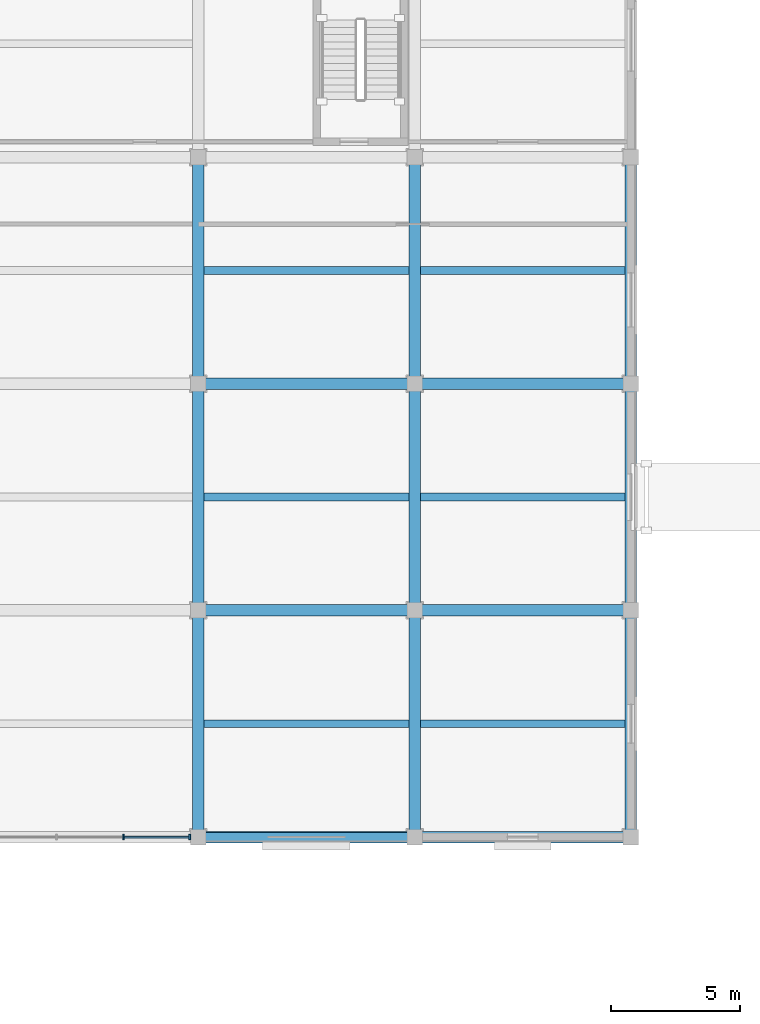
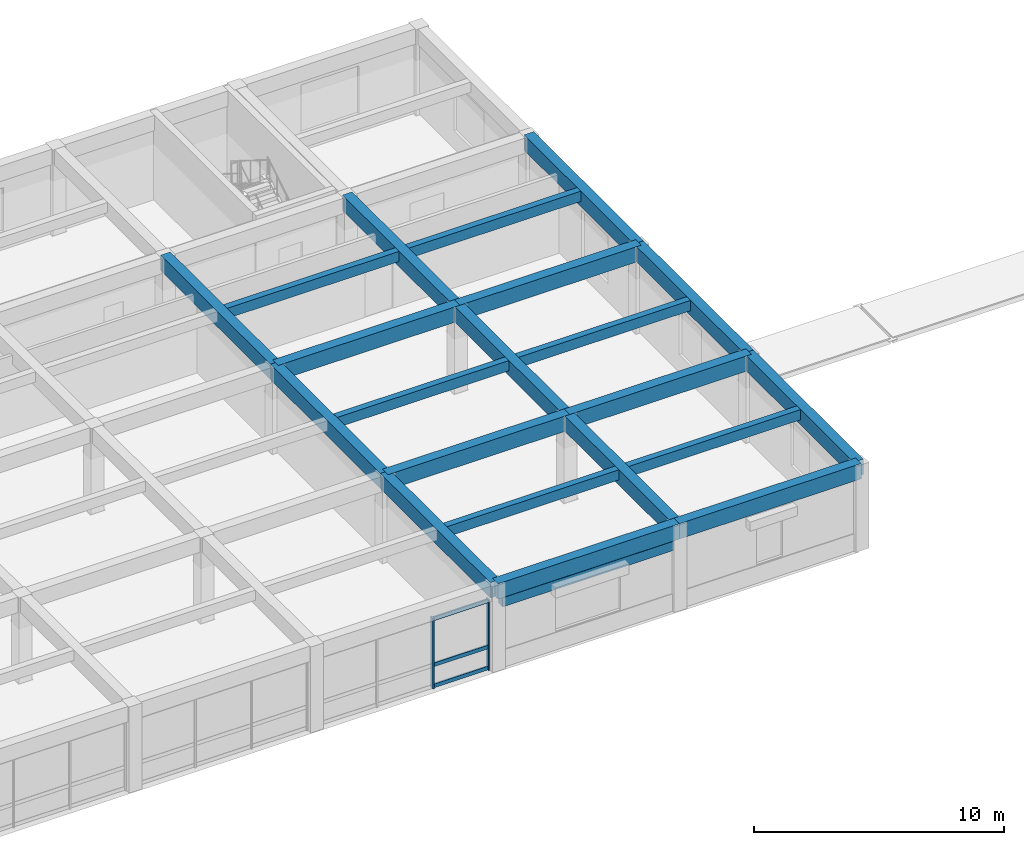
# One storey, part 15 of 46: 22 beams, 5 members, 1 element without a shape of its own.
"""IFC4 building model written with IfcOpenShell, lengths in metres."""

from ifc_helpers import new_model, si_unit, direction, frame, origin, origin_2d, place, context, subcontext, project, spatial, rectangle, extrude, material, material_profile, profile_set, type_object, element, aggregate, save


model = new_model("IFC4")

# Units and contexts
model_context = context("Model", 3, precision=1e-05, world=origin(), true_north=direction((0.0, 1.0)))
body_context = subcontext(model_context, "Body", "Model", "MODEL_VIEW")
ifc_project = project(units=[si_unit("LENGTHUNIT", "METRE"), si_unit("AREAUNIT", "SQUARE_METRE"), si_unit("VOLUMEUNIT", "CUBIC_METRE"), si_unit("PLANEANGLEUNIT", "RADIAN"), si_unit("MASSUNIT", "GRAM", prefix="KILO")], contexts=[model_context])

# Site, building, storey
site_placement = place(None, origin())
site = spatial("IfcSite", under=ifc_project, at=site_placement, CompositionType="ELEMENT")
building_placement = place(site_placement, origin())
building = spatial("IfcBuilding", under=site, at=building_placement, Name="Kemercrest Conservatory and Botanical Centre", CompositionType="ELEMENT")
storey_placement = place(building_placement, frame((0.0, 0.0, 9.0)))
storey = spatial("IfcBuildingStorey", under=building, at=storey_placement, Name="L02", CompositionType="ELEMENT", Elevation=9.0)

# Beams
ifc_material_1 = material(Name="Concrete C40/50", Category="concrete")
ifc_material_profile_1 = material_profile(ifc_material_1, rectangle(XDim=0.449951171875, YDim=0.75, at=origin_2d()), Name="RC 450x750")
ifc_profile_set_1 = profile_set([ifc_material_profile_1], Name="Concrete C40/50")
beam_type_1 = type_object("IfcBeamType", Name="BM-RC75", PredefinedType="BEAM", material=ifc_profile_set_1)
beam_1_placement = place(storey_placement, frame((75.199951171875, 96.0, 3.824951171875), z_axis=(1.0, 0.0, 0.0), x_axis=(0.0, 1.0, 0.0)))
element("IfcBeam", 1, at=beam_1_placement, inside=storey, type_object=beam_type_1, Name="V3-L03 beam BM-RC75 L/09-10", PredefinedType="BEAM", context=body_context, shape_type="SweptSolid", body=[
    extrude(rectangle(XDim=0.449951171875, YDim=0.75, at=origin_2d()), origin(), (0.0, 0.0, 1.0), 8.400146484375),
])
beam_2_placement = place(storey_placement, frame((83.60009765625, 96.0, 3.824951171875), z_axis=(1.0, 0.0, 0.0), x_axis=(0.0, 1.0, 0.0)))
element("IfcBeam", 2, at=beam_2_placement, inside=storey, type_object=beam_type_1, Name="V3-L03 beam BM-RC75 L/10-11", PredefinedType="BEAM", context=body_context, shape_type="SweptSolid", body=[
    extrude(rectangle(XDim=0.449951171875, YDim=0.75, at=origin_2d()), origin(), (0.0, 0.0, 1.0), 8.39990234375),
])
beam_3_placement = place(storey_placement, frame((75.199951171875, 104.800048828125, 3.824951171875), z_axis=(1.0, 0.0, 0.0), x_axis=(0.0, 1.0, 0.0)))
element("IfcBeam", 3, at=beam_3_placement, inside=storey, type_object=beam_type_1, Name="V3-L03 beam BM-RC75 M/09-10", PredefinedType="BEAM", context=body_context, shape_type="SweptSolid", body=[
    extrude(rectangle(XDim=0.449951171875, YDim=0.75, at=origin_2d()), origin(), (0.0, 0.0, 1.0), 8.400146484375),
])
beam_4_placement = place(storey_placement, frame((83.60009765625, 104.800048828125, 3.824951171875), z_axis=(1.0, 0.0, 0.0), x_axis=(0.0, 1.0, 0.0)))
element("IfcBeam", 4, at=beam_4_placement, inside=storey, type_object=beam_type_1, Name="V3-L03 beam BM-RC75 M/10-11", PredefinedType="BEAM", context=body_context, shape_type="SweptSolid", body=[
    extrude(rectangle(XDim=0.449951171875, YDim=0.75, at=origin_2d()), origin(), (0.0, 0.0, 1.0), 8.39990234375),
])
for number, where, z_axis, x_axis, name in (
    (5, (75.199951171875, 87.199951171875, 3.824951171875), (0.0, 1.0, 0.0), (-1.0, 0.0, 0.0), "V3-L03 beam BM-RC75 09/K-L"),
    (6, (75.199951171875, 96.0, 3.824951171875), (0.0, 1.0, 0.0), (-1.0, 0.0, 0.0), "V3-L03 beam BM-RC75 09/L-M"),
    (7, (75.199951171875, 104.800048828125, 3.824951171875), (0.0, 1.0, 0.0), (-1.0, 0.0, 0.0), "V3-L03 beam BM-RC75 09/M-N"),
    (8, (83.60009765625, 87.199951171875, 3.824951171875), (0.0, 1.0, 0.0), (-1.0, 0.0, 0.0), "V3-L03 beam BM-RC75 10/K-L"),
    (9, (83.60009765625, 96.0, 3.824951171875), (0.0, 1.0, 0.0), (-1.0, 0.0, 0.0), "V3-L03 beam BM-RC75 10/L-M"),
    (10, (83.60009765625, 104.800048828125, 3.824951171875), (0.0, 1.0, 0.0), (-1.0, 0.0, 0.0), "V3-L03 beam BM-RC75 10/M-N"),
):
    element("IfcBeam", number, at=place(storey_placement, frame(where, z_axis=z_axis, x_axis=x_axis)), inside=storey, type_object=beam_type_1, Name=name, PredefinedType="BEAM", context=body_context, shape_type="SweptSolid", body=[
        extrude(rectangle(XDim=0.449951171875, YDim=0.75, at=origin_2d()), origin(), (0.0, 0.0, 1.0), 8.800048828125),
    ])

# Curtain wall, members
ifc_material_2 = material(Name="Thermally broken aluminium and triple low-e glazing", Category="aluminium")
curtain_wall_type = type_object("IfcCurtainWallType", Name="CW-12", PredefinedType="USERDEFINED", material=ifc_material_2)
curtain_wall_placement = place(storey_placement, origin())
curtain_wall = element("IfcCurtainWall", 11, at=curtain_wall_placement, inside=storey, type_object=curtain_wall_type, Name="Unitised curtain wall CW-12 (CW:L02:V3-041)", ObjectType="UNITISED CURTAIN WALL", PredefinedType="USERDEFINED")
ifc_material_3 = material(Name="Thermally broken anodized aluminium 6063-T6", Category="aluminium")
ifc_material_profile_2 = material_profile(ifc_material_3, rectangle(XDim=0.199951171875, YDim=0.06494140625, at=origin_2d()), Name="AL MULLION 65x200")
ifc_profile_set_2 = profile_set([ifc_material_profile_2], Name="Thermally broken anodized aluminium 6063-T6")
member_type_1 = type_object("IfcMemberType", Name="CW-M200", PredefinedType="MULLION", material=ifc_profile_set_2)
member_1_placement = place(storey_placement, frame((72.3017578125, 87.199951171875, 0.0), z_axis=(0.0, 0.0, 1.0), x_axis=(0.0, 1.0, 0.0)))
member_1 = element("IfcMember", 12, at=member_1_placement, type_object=member_type_1, Name="CW-12 mullion 3", PredefinedType="MULLION", context=body_context, shape_type="SweptSolid", body=[
    extrude(rectangle(XDim=0.199951171875, YDim=0.06494140625, at=origin_2d()), origin(), (0.0, 0.0, 1.0), 3.455078125),
])
member_2_placement = place(storey_placement, frame((74.87255859375, 87.199951171875, 0.0), z_axis=(0.0, 0.0, 1.0), x_axis=(0.0, 1.0, 0.0)))
member_2 = element("IfcMember", 13, at=member_2_placement, type_object=member_type_1, Name="CW-12 mullion 4", PredefinedType="MULLION", context=body_context, shape_type="SweptSolid", body=[
    extrude(rectangle(XDim=0.199951171875, YDim=0.06494140625, at=origin_2d()), origin(), (0.0, 0.0, 1.0), 3.455078125),
])
ifc_material_profile_3 = material_profile(ifc_material_3, rectangle(XDim=0.074951171875, YDim=0.179931640625, at=origin_2d()), Name="AL TRANSOM 75x180")
ifc_profile_set_3 = profile_set([ifc_material_profile_3], Name="Thermally broken anodized aluminium 6063-T6")
member_type_2 = type_object("IfcMemberType", Name="CW-T180", PredefinedType="USERDEFINED", material=ifc_profile_set_3)
member_3_placement = place(storey_placement, frame((72.334228515625, 87.199951171875, 0.090087890625), z_axis=(1.0, 0.0, 0.0), x_axis=(0.0, 1.0, 0.0)))
member_3 = element("IfcMember", 14, at=member_3_placement, type_object=member_type_2, Name="CW-12 transom 3.1", ObjectType="TRANSOM", PredefinedType="USERDEFINED", context=body_context, shape_type="SweptSolid", body=[
    extrude(rectangle(XDim=0.074951171875, YDim=0.179931640625, at=origin_2d()), origin(), (0.0, 0.0, 1.0), 2.505859375),
])
member_4_placement = place(storey_placement, frame((72.334228515625, 87.199951171875, 1.1201171875), z_axis=(1.0, 0.0, 0.0), x_axis=(0.0, 1.0, 0.0)))
member_4 = element("IfcMember", 15, at=member_4_placement, type_object=member_type_2, Name="CW-12 transom 3.2", ObjectType="TRANSOM", PredefinedType="USERDEFINED", context=body_context, shape_type="SweptSolid", body=[
    extrude(rectangle(XDim=0.074951171875, YDim=0.179931640625, at=origin_2d()), origin(), (0.0, 0.0, 1.0), 2.505859375),
])
member_5_placement = place(storey_placement, frame((72.334228515625, 87.199951171875, 3.364990234375), z_axis=(1.0, 0.0, 0.0), x_axis=(0.0, 1.0, 0.0)))
member_5 = element("IfcMember", 16, at=member_5_placement, type_object=member_type_2, Name="CW-12 transom 3.3", ObjectType="TRANSOM", PredefinedType="USERDEFINED", context=body_context, shape_type="SweptSolid", body=[
    extrude(rectangle(XDim=0.074951171875, YDim=0.179931640625, at=origin_2d()), origin(), (0.0, 0.0, 1.0), 2.505859375),
])
aggregate(curtain_wall, [member_1, member_2, member_3, member_4, member_5])

# Beams
ifc_material_profile_4 = material_profile(ifc_material_1, rectangle(XDim=0.300048828125, YDim=0.5, at=origin_2d()), Name="RC 300x500")
ifc_profile_set_4 = profile_set([ifc_material_profile_4], Name="Concrete C40/50")
beam_type_2 = type_object("IfcBeamType", Name="JS-RC50", PredefinedType="JOIST", material=ifc_profile_set_4)
for number, where, z_axis, x_axis, name in (
    (17, (75.425048828125, 91.60009765625, 3.949951171875), (1.0, 0.0, 0.0), (0.0, 1.0, 0.0), "V3-L03 secondary joist JS-RC50"),
    (18, (83.824951171875, 91.60009765625, 3.949951171875), (1.0, 0.0, 0.0), (0.0, 1.0, 0.0), "V3-L03 secondary joist JS-RC50"),
    (19, (75.425048828125, 100.39990234375, 3.949951171875), (1.0, 0.0, 0.0), (0.0, 1.0, 0.0), "V3-L03 secondary joist JS-RC50"),
    (20, (83.824951171875, 100.39990234375, 3.949951171875), (1.0, 0.0, 0.0), (0.0, 1.0, 0.0), "V3-L03 secondary joist JS-RC50"),
    (21, (75.425048828125, 109.199951171875, 3.949951171875), (1.0, 0.0, 0.0), (0.0, 1.0, 0.0), "V3-L03 secondary joist JS-RC50"),
    (22, (83.824951171875, 109.199951171875, 3.949951171875), (1.0, 0.0, 0.0), (0.0, 1.0, 0.0), "V3-L03 secondary joist JS-RC50"),
):
    element("IfcBeam", number, at=place(storey_placement, frame(where, z_axis=z_axis, x_axis=x_axis)), inside=storey, type_object=beam_type_2, Name=name, PredefinedType="JOIST", context=body_context, shape_type="SweptSolid", body=[
        extrude(rectangle(XDim=0.300048828125, YDim=0.5, at=origin_2d()), origin(), (0.0, 0.0, 1.0), 7.949951171875),
    ])
ifc_material_4 = material(Name="Precast concrete C40/50", Category="concrete")
ifc_material_profile_5 = material_profile(ifc_material_4, rectangle(XDim=0.35009765625, YDim=0.449951171875, at=origin_2d()), Name="RC 350x450")
ifc_profile_set_5 = profile_set([ifc_material_profile_5], Name="Precast concrete C40/50")
beam_type_3 = type_object("IfcBeamType", Name="LN-RC47", PredefinedType="LINTEL", material=ifc_profile_set_5)
beam_5_placement = place(storey_placement, frame((75.449951171875, 87.199951171875, 3.175048828125), z_axis=(1.0, 0.0, 0.0), x_axis=(0.0, 1.0, 0.0)))
element("IfcBeam", 23, at=beam_5_placement, inside=storey, type_object=beam_type_3, Name="Precast arched window lintel (WIN:L02:EXT-119)", PredefinedType="LINTEL", context=body_context, shape_type="SweptSolid", body=[
    extrude(rectangle(XDim=0.35009765625, YDim=0.449951171875, at=origin_2d()), origin(), (0.0, 0.0, 1.0), 7.900146484375),
])
ifc_material_profile_6 = material_profile(ifc_material_1, rectangle(XDim=0.449951171875, YDim=0.75, at=origin_2d()), Name="RC 450x750")
ifc_profile_set_6 = profile_set([ifc_material_profile_6], Name="Concrete C40/50")
beam_type_4 = type_object("IfcBeamType", Name="SP-RC75", PredefinedType="SPANDREL", material=ifc_profile_set_6)
beam_6_placement = place(storey_placement, frame((75.199951171875, 87.199951171875, 3.824951171875), z_axis=(1.0, 0.0, 0.0), x_axis=(0.0, 1.0, 0.0)))
element("IfcBeam", 24, at=beam_6_placement, inside=storey, type_object=beam_type_4, Name="V3-L03 beam SP-RC75 K/09-10", PredefinedType="SPANDREL", context=body_context, shape_type="SweptSolid", body=[
    extrude(rectangle(XDim=0.449951171875, YDim=0.75, at=origin_2d()), origin(), (0.0, 0.0, 1.0), 8.400146484375),
])
beam_7_placement = place(storey_placement, frame((83.60009765625, 87.199951171875, 3.824951171875), z_axis=(1.0, 0.0, 0.0), x_axis=(0.0, 1.0, 0.0)))
element("IfcBeam", 25, at=beam_7_placement, inside=storey, type_object=beam_type_4, Name="V3-L03 beam SP-RC75 K/10-11", PredefinedType="SPANDREL", context=body_context, shape_type="SweptSolid", body=[
    extrude(rectangle(XDim=0.449951171875, YDim=0.75, at=origin_2d()), origin(), (0.0, 0.0, 1.0), 8.39990234375),
])
for number, where, z_axis, x_axis, name in (
    (26, (92.0, 87.199951171875, 3.824951171875), (0.0, 1.0, 0.0), (-1.0, 0.0, 0.0), "V3-L03 beam SP-RC75 11/K-L"),
    (27, (92.0, 96.0, 3.824951171875), (0.0, 1.0, 0.0), (-1.0, 0.0, 0.0), "V3-L03 beam SP-RC75 11/L-M"),
    (28, (92.0, 104.800048828125, 3.824951171875), (0.0, 1.0, 0.0), (-1.0, 0.0, 0.0), "V3-L03 beam SP-RC75 11/M-N"),
):
    element("IfcBeam", number, at=place(storey_placement, frame(where, z_axis=z_axis, x_axis=x_axis)), inside=storey, type_object=beam_type_4, Name=name, PredefinedType="SPANDREL", context=body_context, shape_type="SweptSolid", body=[
        extrude(rectangle(XDim=0.449951171875, YDim=0.75, at=origin_2d()), origin(), (0.0, 0.0, 1.0), 8.800048828125),
    ])

save(model, "model.ifc")
